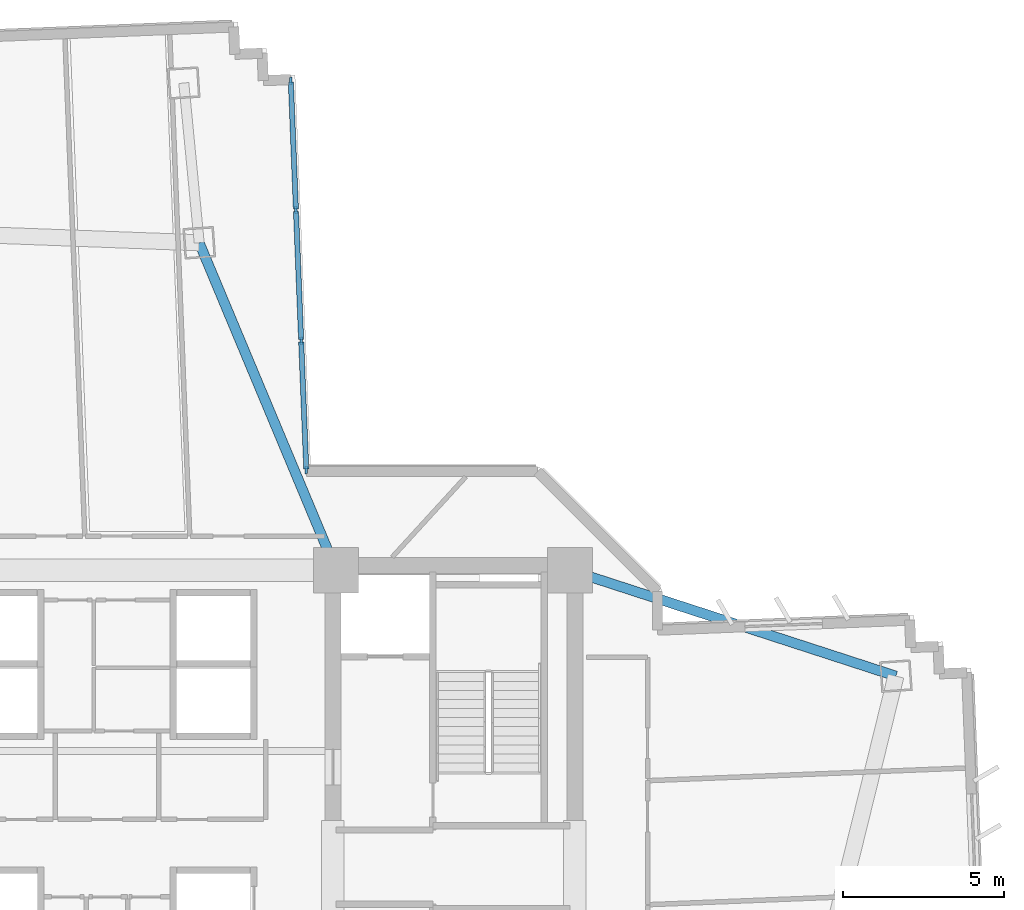
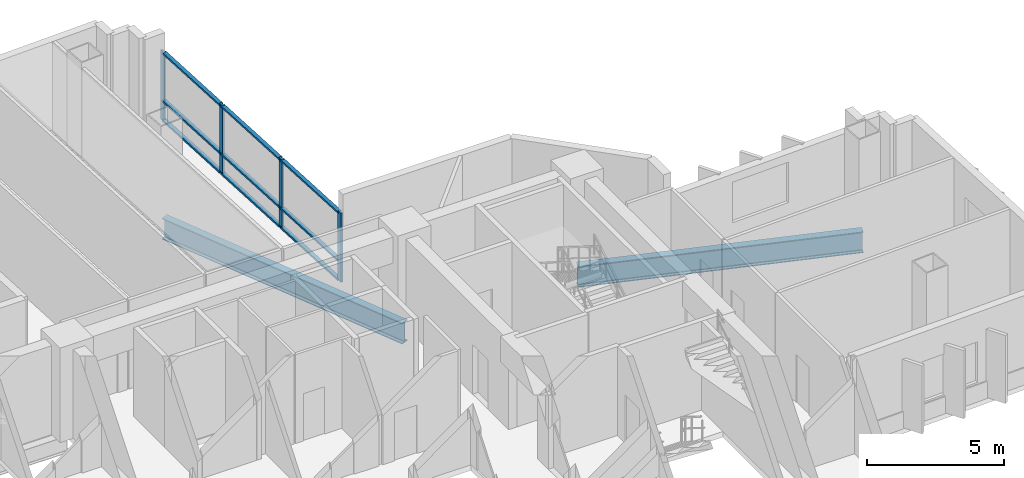
# One storey, part 4 of 16: 13 members, 2 beams, 1 element without a shape of its own.
"""IFC4 building model written with IfcOpenShell, lengths in metres."""

import ifcopenshell
import ifcopenshell.guid

model = None  # the IFC model being written
_history = None  # IfcOwnerHistory: only IFC2X3 demands one
_inside = {}  # id of a spatial element -> (the spatial element, [elements in it])
_under = {}  # id of a project, library or spatial element -> (it, [spatial elements below it])
_declared = {}  # id of a project -> (the project, [libraries it declares])
_typed = {}  # id of a type object -> (the type object, [elements of that type])
_made_of = {}  # id of a material, layer set ... -> (it, [elements and type objects made of it])


def new_model(schema):
    """Start an empty IFC model of exactly this schema.

    Asked for "IFC4X3", IfcOpenShell would pick the latest addendum, in which some entities
    have other attributes; the version numbers below select the first issue.
    IFC2X3 requires an IfcOwnerHistory on every rooted entity: one is made here for all.
    """
    global model, _history
    if schema == "IFC4X3":
        model = ifcopenshell.file(schema_version=(4, 3, 0, 0))
    else:
        model = ifcopenshell.file(schema=schema)
    _inside.clear()
    _under.clear()
    _declared.clear()
    _typed.clear()
    _made_of.clear()
    _history = None
    if model.schema == "IFC2X3":
        org = make("IfcOrganization", Name="unknown")
        user = make(
            "IfcPersonAndOrganization",
            ThePerson=make("IfcPerson", FamilyName="unknown"),
            TheOrganization=org,
        )
        app = make(
            "IfcApplication",
            ApplicationDeveloper=org,
            Version="unknown",
            ApplicationFullName="unknown",
            ApplicationIdentifier="unknown",
        )
        _history = make(
            "IfcOwnerHistory",
            OwningUser=user,
            OwningApplication=app,
            ChangeAction="ADDED",
            CreationDate=0,
        )
    return model


def make(cls, **values):
    """One entity of the class cls with the attributes given. An attribute that is None is left unset."""
    return model.create_entity(
        cls, **{name: value for name, value in values.items() if value is not None}
    )


def rooted(cls, **values):
    """An entity with a GlobalId (a new one), such as an element, a storey or a relation."""
    return make(cls, GlobalId=ifcopenshell.guid.new(), OwnerHistory=_history, **values)


def si_unit(unit_type, name, prefix=None):
    """IfcSIUnit, for example si_unit("LENGTHUNIT", "METRE", prefix="MILLI")."""
    return make("IfcSIUnit", UnitType=unit_type, Prefix=prefix, Name=name)


def assignment(units):
    """IfcUnitAssignment: the units of a project."""
    return None if units is None else make("IfcUnitAssignment", Units=units)


def point(xyz):
    """IfcCartesianPoint."""
    return None if xyz is None else make("IfcCartesianPoint", Coordinates=xyz)


def direction(xyz):
    """IfcDirection."""
    return None if xyz is None else make("IfcDirection", DirectionRatios=xyz)


def frame(location, z_axis=None, x_axis=None):
    """IfcAxis2Placement3D, a coordinate frame: its origin and axes. An axis left out is left unset."""
    return make(
        "IfcAxis2Placement3D",
        Location=point(location),
        Axis=direction(z_axis),
        RefDirection=direction(x_axis),
    )


def frame_2d(location, x_axis=None):
    """IfcAxis2Placement2D, a coordinate frame in the plane: its origin and x axis."""
    return make(
        "IfcAxis2Placement2D", Location=point(location), RefDirection=direction(x_axis)
    )


def origin():
    """The frame at (0, 0, 0) with its axes left unset."""
    return frame((0.0, 0.0, 0.0))


def origin_2d():
    """The frame at (0, 0) in the plane with its x axis left unset."""
    return frame_2d((0.0, 0.0))


def place(relative_to, where):
    """IfcLocalPlacement: puts the frame where relative to a parent placement (None: the world)."""
    return make(
        "IfcLocalPlacement", PlacementRelTo=relative_to, RelativePlacement=where
    )


def context(
    kind, dimensions, precision=None, world=None, true_north=None, identifier=None
):
    """IfcGeometricRepresentationContext, for example the 3D "Model" context."""
    return make(
        "IfcGeometricRepresentationContext",
        ContextIdentifier=identifier,
        ContextType=kind,
        CoordinateSpaceDimension=dimensions,
        Precision=precision,
        WorldCoordinateSystem=world,
        TrueNorth=true_north,
    )


def subcontext(parent, identifier, kind, view, scale=None):
    """IfcGeometricRepresentationSubContext, for example "Body" below "Model"."""
    return make(
        "IfcGeometricRepresentationSubContext",
        ContextIdentifier=identifier,
        ContextType=kind,
        ParentContext=parent,
        TargetScale=scale,
        TargetView=view,
    )


def project(units=None, contexts=None):
    """IfcProject with its units and contexts."""
    return rooted(
        "IfcProject",
        Name="project",
        RepresentationContexts=contexts,
        UnitsInContext=assignment(units),
    )


def spatial(cls, under=None, at=None, **own):
    """A site, building, storey or space (cls), placed at a placement, below another one or the project."""
    s = rooted(cls, ObjectPlacement=at, **own)
    if under is not None:
        _under.setdefault(under.id(), (under, []))[1].append(s)
    return s


def profile(cls, at=None, kind="AREA", **sizes):
    """A parametric profile (cls). Its sizes go by their IFC names, for example OverallWidth=200.0."""
    return make(cls, ProfileType=kind, Position=at, **sizes)


def rectangle(**sizes):
    """IfcRectangleProfileDef."""
    return profile("IfcRectangleProfileDef", **sizes)


def i_section(**sizes):
    """IfcIShapeProfileDef."""
    return profile("IfcIShapeProfileDef", **sizes)


def extrude(swept, where, along, depth):
    """IfcExtrudedAreaSolid: the profile swept, set in the frame where, extruded along a direction by depth."""
    return make(
        "IfcExtrudedAreaSolid",
        SweptArea=swept,
        Position=where,
        ExtrudedDirection=direction(along),
        Depth=depth,
    )


def shape(context_of_items, identifier, shape_type, items):
    """IfcShapeRepresentation: the items that make up one representation, for example the "Body"."""
    return make(
        "IfcShapeRepresentation",
        ContextOfItems=context_of_items,
        RepresentationIdentifier=identifier,
        RepresentationType=shape_type,
        Items=items,
    )


def source(mapping_origin, context_of_items, identifier, shape_type, items):
    """IfcRepresentationMap: a shape defined once, which mapped items show again and again."""
    return make(
        "IfcRepresentationMap",
        MappingOrigin=mapping_origin,
        MappedRepresentation=shape(context_of_items, identifier, shape_type, items),
    )


def transform(
    local_origin,
    x_axis=None,
    y_axis=None,
    z_axis=None,
    scale=None,
    scale2=None,
    scale3=None,
    uniform=True,
):
    """IfcCartesianTransformationOperator3D, or its non-uniform kind. x_axis, y_axis, z_axis: its Axis1, 2, 3."""
    if uniform:
        return make(
            "IfcCartesianTransformationOperator3D",
            Axis1=direction(x_axis),
            Axis2=direction(y_axis),
            LocalOrigin=point(local_origin),
            Scale=scale,
            Axis3=direction(z_axis),
        )
    return make(
        "IfcCartesianTransformationOperator3DnonUniform",
        Axis1=direction(x_axis),
        Axis2=direction(y_axis),
        LocalOrigin=point(local_origin),
        Scale=scale,
        Axis3=direction(z_axis),
        Scale2=scale2,
        Scale3=scale3,
    )


def mapped(mapping_source, mapping_target):
    """IfcMappedItem: shows the shape of a source again, moved by a transform."""
    return make(
        "IfcMappedItem", MappingSource=mapping_source, MappingTarget=mapping_target
    )


def material(Name=None, Category=None):
    """IfcMaterial."""
    return make("IfcMaterial", Name=Name, Category=Category)


def layer(
    of_material, thickness, ventilated=None, Name=None, Category=None, Priority=None
):
    """IfcMaterialLayer: one layer of a wall or slab, of a material (None: an air gap)."""
    return make(
        "IfcMaterialLayer",
        Material=of_material,
        LayerThickness=thickness,
        IsVentilated=ventilated,
        Name=Name,
        Category=Category,
        Priority=Priority,
    )


def layer_set(layers, Name=None):
    """IfcMaterialLayerSet."""
    return make("IfcMaterialLayerSet", MaterialLayers=layers, LayerSetName=Name)


def material_profile(
    of_material, cross_section, Name=None, Category=None, Priority=None
):
    """IfcMaterialProfile: a cross section and its material."""
    return make(
        "IfcMaterialProfile",
        Name=Name,
        Material=of_material,
        Profile=cross_section,
        Priority=Priority,
        Category=Category,
    )


def profile_set(profiles, Name=None, composite=None):
    """IfcMaterialProfileSet."""
    return make(
        "IfcMaterialProfileSet",
        Name=Name,
        MaterialProfiles=profiles,
        CompositeProfile=composite,
    )


def made_of(thing, what):
    """Note that an element or type object is made of a material, layer set ...; save() writes the relation."""
    if what is not None:
        _made_of.setdefault(what.id(), (what, []))[1].append(thing)
    return thing


def type_object(cls, material=None, **own):
    """A type object (cls), such as IfcWallType, which elements share."""
    return made_of(rooted(cls, **own), material)


def element(
    cls,
    number,
    at=None,
    inside=None,
    cuts=None,
    type_object=None,
    material=None,
    context=None,
    identifier="Body",
    shape_type=None,
    held_by="IfcProductDefinitionShape",
    body=None,
    shapes=None,
    **own,
):
    """One element of the class cls, such as IfcWall. Its Tag is "e" and its number.

    at: its placement. inside: the storey or other place that contains it. cuts: it is an
    opening in that element (IfcRelVoidsElement). A single representation is given by context,
    identifier, shape_type and body (its items); several are given by shapes. held_by: the class
    of the entity that holds the representations. save() writes the other relations.
    """
    e = rooted(cls, Tag="e%d" % number, ObjectPlacement=at, **own)
    if body is not None:
        shapes = [shape(context, identifier, shape_type, body)]
    if shapes is not None:
        e.Representation = make(held_by, Representations=shapes)
    if inside is not None:
        _inside.setdefault(inside.id(), (inside, []))[1].append(e)
    if cuts is not None:
        rooted(
            "IfcRelVoidsElement", RelatingBuildingElement=cuts, RelatedOpeningElement=e
        )
    if type_object is not None:
        _typed.setdefault(type_object.id(), (type_object, []))[1].append(e)
    return made_of(e, material)


def aggregate(whole, parts):
    """IfcRelAggregates: a whole, such as a stair, and the parts it consists of."""
    return rooted("IfcRelAggregates", RelatingObject=whole, RelatedObjects=parts)


def save(model, path):
    """Write the relations noted so far, then the file.

    IfcRelAggregates (storeys below a building ...), IfcRelContainedInSpatialStructure (elements
    in a storey), IfcRelDefinesByType, IfcRelAssociatesMaterial and IfcRelDeclares: one each for
    every whole, place, type object, material and project.
    """
    for whole, parts in _under.values():
        aggregate(whole, parts)
    for where, things in _inside.values():
        rooted(
            "IfcRelContainedInSpatialStructure",
            RelatedElements=things,
            RelatingStructure=where,
        )
    for kind, things in _typed.values():
        rooted("IfcRelDefinesByType", RelatedObjects=things, RelatingType=kind)
    for what, things in _made_of.values():
        rooted("IfcRelAssociatesMaterial", RelatedObjects=things, RelatingMaterial=what)
    for by, libraries in _declared.values():
        rooted("IfcRelDeclares", RelatingContext=by, RelatedDefinitions=libraries)
    model.write(path)


model = new_model("IFC4")

# Units and contexts
model_context = context("Model", 3, precision=1e-05, world=origin(), true_north=direction((0.0, 1.0)))
body_context = subcontext(model_context, "Body", "Model", "MODEL_VIEW")
ifc_project = project(units=[si_unit("LENGTHUNIT", "METRE"), si_unit("AREAUNIT", "SQUARE_METRE"), si_unit("VOLUMEUNIT", "CUBIC_METRE"), si_unit("PLANEANGLEUNIT", "RADIAN"), si_unit("MASSUNIT", "GRAM", prefix="KILO")], contexts=[model_context])

# Site, building, storey
site_placement = place(None, origin())
site = spatial("IfcSite", under=ifc_project, at=site_placement, CompositionType="ELEMENT")
building_placement = place(site_placement, origin())
building = spatial("IfcBuilding", under=site, at=building_placement, Name="Zahravan Cultural Tower", CompositionType="ELEMENT")
storey_placement = place(building_placement, frame((0.0, 0.0, 58.5)))
storey = spatial("IfcBuildingStorey", under=building, at=storey_placement, Name="L12", CompositionType="ELEMENT", Elevation=58.5)

# Beams
ifc_material_1 = material(Name="Steel ASTM A992 Grade 50", Category="steel")
ifc_material_profile_1 = material_profile(ifc_material_1, i_section(OverallWidth=0.30908203125, OverallDepth=0.931884765625, WebThickness=0.02099609375, FlangeThickness=0.034423828125, FilletRadius=0.02392578125, at=origin_2d()), Name="W36X210")
ifc_profile_set_1 = profile_set([ifc_material_profile_1], Name="Steel ASTM A992 Grade 50")
beam_type = type_object("IfcBeamType", Name="BM-G-W36X210", PredefinedType="BEAM", material=ifc_profile_set_1)
shared_shape_1 = source(origin(), body_context, "Body", "SweptSolid", [
    extrude(i_section(OverallWidth=0.30908203125, OverallDepth=0.931884765625, WebThickness=0.02099609375, FlangeThickness=0.034423828125, FilletRadius=0.02392578125, at=origin_2d()), origin(), (0.0, 0.0, 1.0), 10.615966796875),
])
beam_1_placement = place(storey_placement, frame((50.35009765625, 36.199951171875, -0.716064453125), z_axis=(0.951063640083, -0.30899506875, 0.0), x_axis=(0.30899506875, 0.951063640083, 0.0)))
element("IfcBeam", 1, at=beam_1_placement, inside=storey, type_object=beam_type, Name="L12 Beam BG-L12-11", PredefinedType="BEAM", context=body_context, shape_type="MappedRepresentation", body=[
    mapped(shared_shape_1, transform((0.0, 0.0, 0.0), x_axis=(1.0, 0.0, 0.0), y_axis=(0.0, 1.0, 0.0), z_axis=(0.0, 0.0, 1.0), scale=1.0)),
])
shared_shape_2 = source(origin(), body_context, "Body", "SweptSolid", [
    extrude(i_section(OverallWidth=0.30908203125, OverallDepth=0.931884765625, WebThickness=0.02099609375, FlangeThickness=0.034423828125, FilletRadius=0.02392578125, at=origin_2d()), origin(), (0.0, 0.0, 1.0), 10.997802734375),
])
beam_2_placement = place(storey_placement, frame((43.10009765625, 36.199951171875, -0.716064453125), z_axis=(-0.385775211449, 0.922592806297, 0.0), x_axis=(-0.922592806297, -0.385775211449, 0.0)))
element("IfcBeam", 2, at=beam_2_placement, inside=storey, type_object=beam_type, Name="L12 Beam BG-L12-12", PredefinedType="BEAM", context=body_context, shape_type="MappedRepresentation", body=[
    mapped(shared_shape_2, transform((0.0, 0.0, 0.0), x_axis=(1.0, 0.0, 0.0), y_axis=(0.0, 1.0, 0.0), z_axis=(0.0, 0.0, 1.0), scale=1.0)),
])

# Curtain wall, members
ifc_material_2 = material(Name="Anodised bronze-aluminium mullion", Category="aluminium")
ifc_layer = layer(ifc_material_2, 0.219970703125)
ifc_layer_set = layer_set([ifc_layer], Name="Anodised bronze-aluminium mullion")
curtain_wall_type = type_object("IfcCurtainWallType", Name="CW-SYS-1", PredefinedType="USERDEFINED", material=ifc_layer_set)
curtain_wall_placement = place(storey_placement, origin())
curtain_wall = element("IfcCurtainWall", 3, at=curtain_wall_placement, inside=storey, type_object=curtain_wall_type, Name="L12 Recessed Curtain Wall CW-1.2", ObjectType="RECESSED GLAZING", PredefinedType="USERDEFINED")
ifc_material_profile_2 = material_profile(ifc_material_2, rectangle(XDim=0.080078125, YDim=0.219970703125, at=origin_2d()), Name="AL-M80X220")
ifc_profile_set_2 = profile_set([ifc_material_profile_2], Name="Anodised bronze-aluminium mullion")
member_type_1 = type_object("IfcMemberType", Name="CWM-CW-1", PredefinedType="MULLION", material=ifc_profile_set_2)
shared_shape_3 = source(origin(), body_context, "Body", "SweptSolid", [
    extrude(rectangle(XDim=0.080078125, YDim=0.219970703125, at=origin_2d()), origin(), (0.0, 0.0, 1.0), 3.070068359375),
])
member_1_placement = place(storey_placement, frame((41.6953125, 51.36572265625, 0.0), z_axis=(0.0, 0.0, 1.0), x_axis=(0.99920827504, 0.039784709273, 0.0)))
member_1 = element("IfcMember", 4, at=member_1_placement, type_object=member_type_1, Name="CW-1 mullion 1", PredefinedType="MULLION", context=body_context, shape_type="MappedRepresentation", body=[
    mapped(shared_shape_3, transform((0.0, 0.0, 0.0), x_axis=(1.0, 0.0, 0.0), y_axis=(0.0, 1.0, 0.0), z_axis=(0.0, 0.0, 1.0), scale=1.0)),
])
member_2_placement = place(storey_placement, frame((41.854736328125, 47.357177734375, 0.0), z_axis=(0.0, 0.0, 1.0), x_axis=(0.99920827504, 0.039784709273, 0.0)))
member_2 = element("IfcMember", 5, at=member_2_placement, type_object=member_type_1, Name="CW-1 mullion 2", PredefinedType="MULLION", context=body_context, shape_type="MappedRepresentation", body=[
    mapped(shared_shape_3, transform((0.0, 0.0, 0.0), x_axis=(1.0, 0.0, 0.0), y_axis=(0.0, 1.0, 0.0), z_axis=(0.0, 0.0, 1.0), scale=1.0)),
])
member_3_placement = place(storey_placement, frame((42.01611328125, 43.30859375, 0.0), z_axis=(0.0, 0.0, 1.0), x_axis=(0.99920827504, 0.039784709273, 0.0)))
member_3 = element("IfcMember", 6, at=member_3_placement, type_object=member_type_1, Name="CW-1 mullion 3", PredefinedType="MULLION", context=body_context, shape_type="MappedRepresentation", body=[
    mapped(shared_shape_3, transform((0.0, 0.0, 0.0), x_axis=(1.0, 0.0, 0.0), y_axis=(0.0, 1.0, 0.0), z_axis=(0.0, 0.0, 1.0), scale=1.0)),
])
member_4_placement = place(storey_placement, frame((42.175537109375, 39.300048828125, 0.0), z_axis=(0.0, 0.0, 1.0), x_axis=(0.99920827504, 0.039784709273, 0.0)))
member_4 = element("IfcMember", 7, at=member_4_placement, type_object=member_type_1, Name="CW-1 mullion 4", PredefinedType="MULLION", context=body_context, shape_type="MappedRepresentation", body=[
    mapped(shared_shape_3, transform((0.0, 0.0, 0.0), x_axis=(1.0, 0.0, 0.0), y_axis=(0.0, 1.0, 0.0), z_axis=(0.0, 0.0, 1.0), scale=1.0)),
])
ifc_material_profile_3 = material_profile(ifc_material_2, rectangle(XDim=0.159912109375, YDim=0.080078125, at=origin_2d()), Name="AL-T80X160")
ifc_profile_set_3 = profile_set([ifc_material_profile_3], Name="Anodised bronze-aluminium mullion")
member_type_2 = type_object("IfcMemberType", Name="CWT-CW-1", PredefinedType="USERDEFINED", material=ifc_profile_set_3)
shared_shape_4 = source(origin(), body_context, "Body", "SweptSolid", [
    extrude(rectangle(XDim=0.159912109375, YDim=0.080078125, at=origin_2d()), origin(), (0.0, 0.0, 1.0), 3.931884765625),
])
member_5_placement = place(storey_placement, frame((41.69677734375, 51.325927734375, 0.0400390625), z_axis=(0.039801893216, -0.999207590692, 0.0), x_axis=(0.999207590692, 0.039801893216, 0.0)))
member_5 = element("IfcMember", 8, at=member_5_placement, type_object=member_type_2, Name="CW-1 transom 1.1", ObjectType="TRANSOM", PredefinedType="USERDEFINED", context=body_context, shape_type="MappedRepresentation", body=[
    mapped(shared_shape_4, transform((0.0, 0.0, 0.0), x_axis=(1.0, 0.0, 0.0), y_axis=(0.0, 1.0, 0.0), z_axis=(0.0, 0.0, 1.0), scale=1.0)),
])
member_6_placement = place(storey_placement, frame((41.69677734375, 51.325927734375, 0.89990234375), z_axis=(0.039801893216, -0.999207590692, 0.0), x_axis=(0.999207590692, 0.039801893216, 0.0)))
member_6 = element("IfcMember", 9, at=member_6_placement, type_object=member_type_2, Name="CW-1 transom 1.2", ObjectType="TRANSOM", PredefinedType="USERDEFINED", context=body_context, shape_type="MappedRepresentation", body=[
    mapped(shared_shape_4, transform((0.0, 0.0, 0.0), x_axis=(1.0, 0.0, 0.0), y_axis=(0.0, 1.0, 0.0), z_axis=(0.0, 0.0, 1.0), scale=1.0)),
])
member_7_placement = place(storey_placement, frame((41.69677734375, 51.325927734375, 3.030029296875), z_axis=(0.039801893216, -0.999207590692, 0.0), x_axis=(0.999207590692, 0.039801893216, 0.0)))
member_7 = element("IfcMember", 10, at=member_7_placement, type_object=member_type_2, Name="CW-1 transom 1.3", ObjectType="TRANSOM", PredefinedType="USERDEFINED", context=body_context, shape_type="MappedRepresentation", body=[
    mapped(shared_shape_4, transform((0.0, 0.0, 0.0), x_axis=(1.0, 0.0, 0.0), y_axis=(0.0, 1.0, 0.0), z_axis=(0.0, 0.0, 1.0), scale=1.0)),
])
member_8_placement = place(storey_placement, frame((42.017578125, 43.2685546875, 0.0400390625), z_axis=(0.039801893216, -0.999207590692, 0.0), x_axis=(0.999207590692, 0.039801893216, 0.0)))
member_8 = element("IfcMember", 11, at=member_8_placement, type_object=member_type_2, Name="CW-1 transom 3.1", ObjectType="TRANSOM", PredefinedType="USERDEFINED", context=body_context, shape_type="MappedRepresentation", body=[
    mapped(shared_shape_4, transform((0.0, 0.0, 0.0), x_axis=(1.0, 0.0, 0.0), y_axis=(0.0, 1.0, 0.0), z_axis=(0.0, 0.0, 1.0), scale=1.0)),
])
member_9_placement = place(storey_placement, frame((42.017578125, 43.2685546875, 0.89990234375), z_axis=(0.039801893216, -0.999207590692, 0.0), x_axis=(0.999207590692, 0.039801893216, 0.0)))
member_9 = element("IfcMember", 12, at=member_9_placement, type_object=member_type_2, Name="CW-1 transom 3.2", ObjectType="TRANSOM", PredefinedType="USERDEFINED", context=body_context, shape_type="MappedRepresentation", body=[
    mapped(shared_shape_4, transform((0.0, 0.0, 0.0), x_axis=(1.0, 0.0, 0.0), y_axis=(0.0, 1.0, 0.0), z_axis=(0.0, 0.0, 1.0), scale=1.0)),
])
member_10_placement = place(storey_placement, frame((42.017578125, 43.2685546875, 3.030029296875), z_axis=(0.039801893216, -0.999207590692, 0.0), x_axis=(0.999207590692, 0.039801893216, 0.0)))
member_10 = element("IfcMember", 13, at=member_10_placement, type_object=member_type_2, Name="CW-1 transom 3.3", ObjectType="TRANSOM", PredefinedType="USERDEFINED", context=body_context, shape_type="MappedRepresentation", body=[
    mapped(shared_shape_4, transform((0.0, 0.0, 0.0), x_axis=(1.0, 0.0, 0.0), y_axis=(0.0, 1.0, 0.0), z_axis=(0.0, 0.0, 1.0), scale=1.0)),
])
shared_shape_5 = source(origin(), body_context, "Body", "SweptSolid", [
    extrude(rectangle(XDim=0.159912109375, YDim=0.080078125, at=origin_2d()), origin(), (0.0, 0.0, 1.0), 3.9716796875),
])
member_11_placement = place(storey_placement, frame((41.8564453125, 47.317138671875, 0.0400390625), z_axis=(0.03977164506, -0.999208795122, 0.0), x_axis=(0.999208795122, 0.03977164506, 0.0)))
member_11 = element("IfcMember", 14, at=member_11_placement, type_object=member_type_2, Name="CW-1 transom 2.1", ObjectType="TRANSOM", PredefinedType="USERDEFINED", context=body_context, shape_type="MappedRepresentation", body=[
    mapped(shared_shape_5, transform((0.0, 0.0, 0.0), x_axis=(1.0, 0.0, 0.0), y_axis=(0.0, 1.0, 0.0), z_axis=(0.0, 0.0, 1.0), scale=1.0)),
])
member_12_placement = place(storey_placement, frame((41.8564453125, 47.317138671875, 0.89990234375), z_axis=(0.03977164506, -0.999208795122, 0.0), x_axis=(0.999208795122, 0.03977164506, 0.0)))
member_12 = element("IfcMember", 15, at=member_12_placement, type_object=member_type_2, Name="CW-1 transom 2.2", ObjectType="TRANSOM", PredefinedType="USERDEFINED", context=body_context, shape_type="MappedRepresentation", body=[
    mapped(shared_shape_5, transform((0.0, 0.0, 0.0), x_axis=(1.0, 0.0, 0.0), y_axis=(0.0, 1.0, 0.0), z_axis=(0.0, 0.0, 1.0), scale=1.0)),
])
member_13_placement = place(storey_placement, frame((41.8564453125, 47.317138671875, 3.030029296875), z_axis=(0.03977164506, -0.999208795122, 0.0), x_axis=(0.999208795122, 0.03977164506, 0.0)))
member_13 = element("IfcMember", 16, at=member_13_placement, type_object=member_type_2, Name="CW-1 transom 2.3", ObjectType="TRANSOM", PredefinedType="USERDEFINED", context=body_context, shape_type="MappedRepresentation", body=[
    mapped(shared_shape_5, transform((0.0, 0.0, 0.0), x_axis=(1.0, 0.0, 0.0), y_axis=(0.0, 1.0, 0.0), z_axis=(0.0, 0.0, 1.0), scale=1.0)),
])
aggregate(curtain_wall, [member_1, member_2, member_3, member_4, member_5, member_6, member_7, member_11, member_12, member_13, member_8, member_9, member_10])

save(model, "model.ifc")
